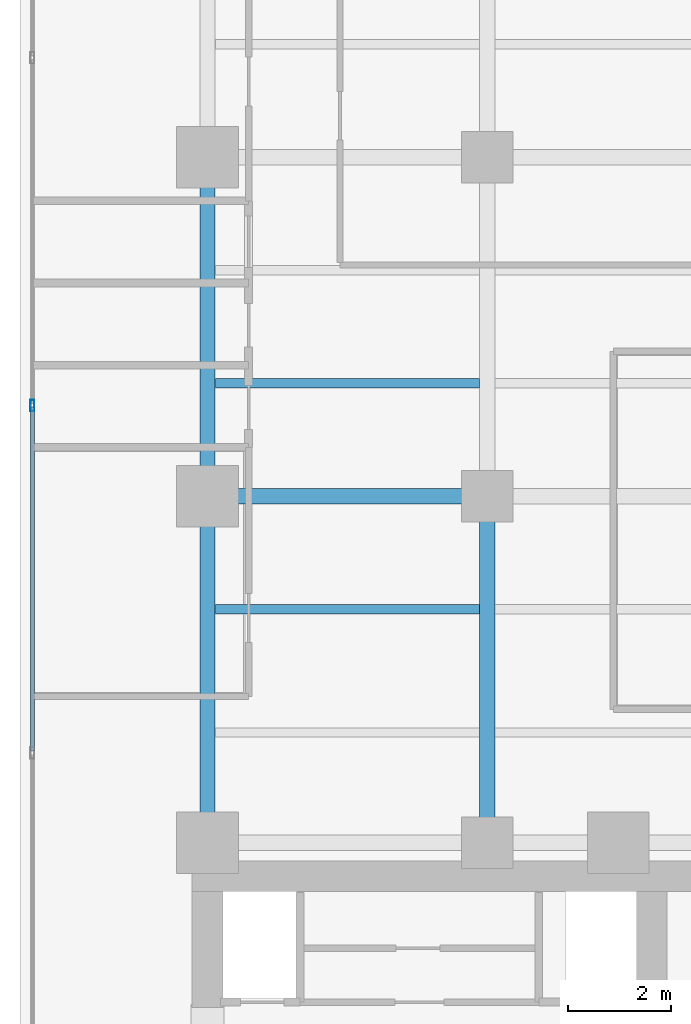
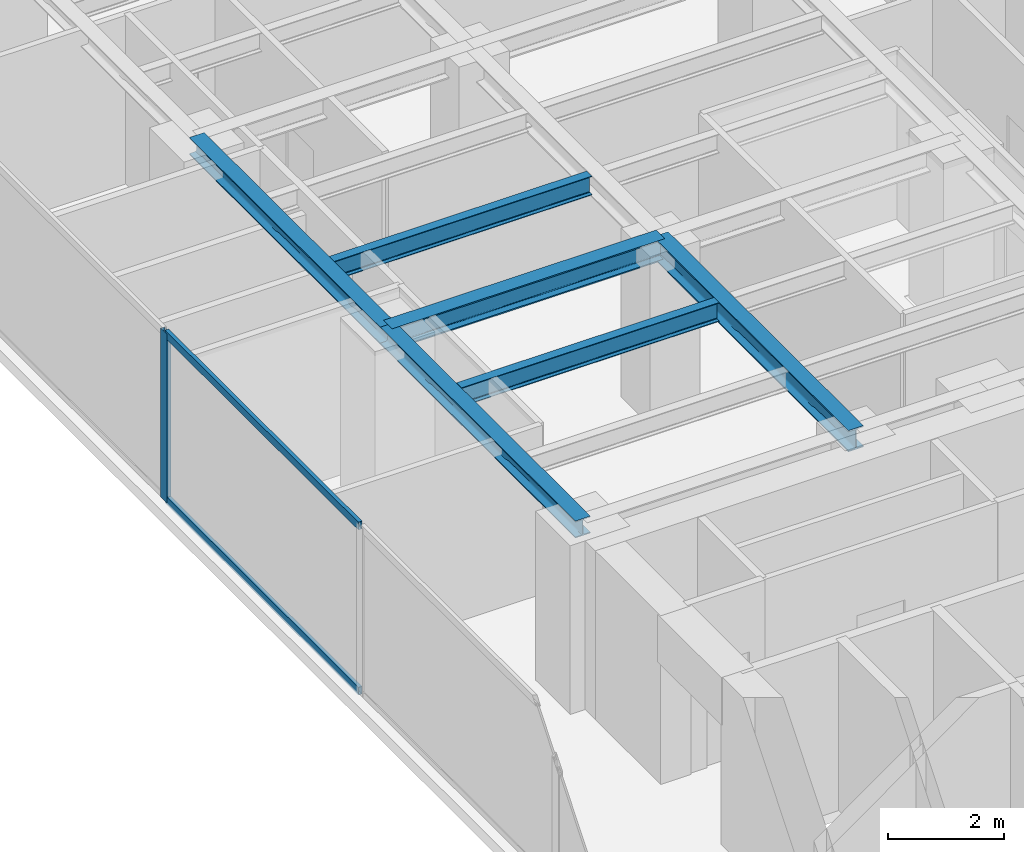
# One storey, part 7 of 26: 6 beams, 3 members, 1 element without a shape of its own.
"""IFC4 building model written with IfcOpenShell, lengths in metres."""

from ifc_helpers import new_model, si_unit, direction, frame, origin, origin_with_axes, origin_2d, place, context, subcontext, project, spatial, hollow_rectangle, i_section, extrude, source, transform, mapped, material, layer, layer_set, material_profile, profile_set, type_object, element, aggregate, save


model = new_model("IFC4")

# Units and contexts
model_context = context("Model", 3, precision=1e-05, world=origin(), true_north=direction((0.0, 1.0)))
body_context = subcontext(model_context, "Body", "Model", "MODEL_VIEW")
ifc_project = project(units=[si_unit("LENGTHUNIT", "METRE"), si_unit("AREAUNIT", "SQUARE_METRE"), si_unit("VOLUMEUNIT", "CUBIC_METRE"), si_unit("PLANEANGLEUNIT", "RADIAN"), si_unit("MASSUNIT", "GRAM", prefix="KILO")], contexts=[model_context])

# Site, building, storey
site_placement = place(None, origin())
site = spatial("IfcSite", under=ifc_project, at=site_placement, CompositionType="ELEMENT")
building_placement = place(site_placement, origin())
building = spatial("IfcBuilding", under=site, at=building_placement, Name="Kolvaren Waterfront Exchange", CompositionType="ELEMENT")
storey_placement = place(building_placement, frame((0.0, 0.0, 180.39990234375)))
storey = spatial("IfcBuildingStorey", under=building, at=storey_placement, Name="L46", CompositionType="ELEMENT", Elevation=180.39990234375)

# Beams
ifc_material_1 = material(Name="Steel S355", Category="steel")
ifc_material_profile_1 = material_profile(ifc_material_1, i_section(OverallWidth=0.300048828125, OverallDepth=0.360107421875, WebThickness=0.012451171875, FlangeThickness=0.0224609375, FilletRadius=0.027099609375, at=origin_2d()), Name="HEB360")
ifc_profile_set_1 = profile_set([ifc_material_profile_1], Name="Steel S355")
beam_type_1 = type_object("IfcBeamType", Name="STR-BM-HEB360", PredefinedType="SPANDREL", material=ifc_profile_set_1)
beam_1_placement = place(storey_placement, frame((7.449951171875, 24.449951171875, 3.380126953125), z_axis=(0.0, 1.0, 0.0), x_axis=(-1.0, 0.0, 0.0)))
element("IfcBeam", 1, at=beam_1_placement, inside=storey, type_object=beam_type_1, Name="L46 north-arm edge beam 1", PredefinedType="SPANDREL", context=body_context, shape_type="SweptSolid", body=[
    extrude(i_section(OverallWidth=0.300048828125, OverallDepth=0.360107421875, WebThickness=0.012451171875, FlangeThickness=0.0224609375, FilletRadius=0.027099609375, at=origin_2d()), origin(), (0.0, 0.0, 1.0), 6.75),
])
beam_2_placement = place(storey_placement, frame((7.449951171875, 31.199951171875, 3.380126953125), z_axis=(0.0, 1.0, 0.0), x_axis=(-1.0, 0.0, 0.0)))
element("IfcBeam", 2, at=beam_2_placement, inside=storey, type_object=beam_type_1, Name="L46 north-arm edge beam 2", PredefinedType="SPANDREL", context=body_context, shape_type="SweptSolid", body=[
    extrude(i_section(OverallWidth=0.300048828125, OverallDepth=0.360107421875, WebThickness=0.012451171875, FlangeThickness=0.0224609375, FilletRadius=0.027099609375, at=origin_2d()), origin(), (0.0, 0.0, 1.0), 6.60009765625),
])
ifc_material_profile_2 = material_profile(ifc_material_1, i_section(OverallWidth=0.300048828125, OverallDepth=0.449951171875, WebThickness=0.013916015625, FlangeThickness=0.02587890625, FilletRadius=0.027099609375, at=origin_2d()), Name="HEB450")
ifc_profile_set_2 = profile_set([ifc_material_profile_2], Name="Steel S355")
beam_type_2 = type_object("IfcBeamType", Name="STR-BM-HEB450", PredefinedType="BEAM", material=ifc_profile_set_2)
beam_3_placement = place(storey_placement, frame((7.449951171875, 31.199951171875, 3.335205078125), z_axis=(1.0, 0.0, 0.0), x_axis=(0.0, 1.0, 0.0)))
element("IfcBeam", 3, at=beam_3_placement, inside=storey, type_object=beam_type_2, Name="L46 north-arm girder 2A", PredefinedType="BEAM", context=body_context, shape_type="SweptSolid", body=[
    extrude(i_section(OverallWidth=0.300048828125, OverallDepth=0.449951171875, WebThickness=0.013916015625, FlangeThickness=0.02587890625, FilletRadius=0.027099609375, at=origin_2d()), origin(), (0.0, 0.0, 1.0), 5.449951171875),
])
beam_4_placement = place(storey_placement, frame((12.89990234375, 24.449951171875, 3.335205078125), z_axis=(0.0, 1.0, 0.0), x_axis=(-1.0, 0.0, 0.0)))
element("IfcBeam", 4, at=beam_4_placement, inside=storey, type_object=beam_type_2, Name="L46 north-arm edge beam 1", PredefinedType="BEAM", context=body_context, shape_type="SweptSolid", body=[
    extrude(i_section(OverallWidth=0.300048828125, OverallDepth=0.449951171875, WebThickness=0.013916015625, FlangeThickness=0.02587890625, FilletRadius=0.027099609375, at=origin_2d()), origin(), (0.0, 0.0, 1.0), 6.75),
])
ifc_material_profile_3 = material_profile(ifc_material_1, i_section(OverallWidth=0.179931640625, OverallDepth=0.39990234375, WebThickness=0.008544921875, FlangeThickness=0.013427734375, FilletRadius=0.02099609375, at=origin_2d()), Name="IPE400")
ifc_profile_set_3 = profile_set([ifc_material_profile_3], Name="Steel S355")
beam_type_3 = type_object("IfcBeamType", Name="STR-BM-IPE400", PredefinedType="JOIST", material=ifc_profile_set_3)
for number, where, z_axis, x_axis, name in (
    (5, (7.60205078125, 29.0, 3.360107421875), (1.0, 0.0, 0.0), (0.0, 1.0, 0.0), "L46 north-arm composite joist 2A"),
    (6, (7.60205078125, 33.39990234375, 3.360107421875), (1.0, 0.0, 0.0), (0.0, 1.0, 0.0), "L46 north-arm composite joist 3A"),
):
    element("IfcBeam", number, at=place(storey_placement, frame(where, z_axis=z_axis, x_axis=x_axis)), inside=storey, type_object=beam_type_3, Name=name, PredefinedType="JOIST", context=body_context, shape_type="SweptSolid", body=[
        extrude(i_section(OverallWidth=0.179931640625, OverallDepth=0.39990234375, WebThickness=0.008544921875, FlangeThickness=0.013427734375, FilletRadius=0.02099609375, at=origin_2d()), origin(), (0.0, 0.0, 1.0), 5.14599609375),
    ])

# Curtain wall, members
ifc_material_2 = material(Name="Anodised aluminium 6063-T6", Category="aluminium")
ifc_layer = layer(ifc_material_2, 0.219970703125, Name="Anodised aluminium 6063-T6")
ifc_layer_set = layer_set([ifc_layer], Name="Anodised aluminium 6063-T6")
curtain_wall_type = type_object("IfcCurtainWallType", Name="ARC-CW-SYS2", PredefinedType="USERDEFINED", material=ifc_layer_set)
curtain_wall_placement = place(storey_placement, origin())
curtain_wall = element("IfcCurtainWall", 7, at=curtain_wall_placement, inside=storey, type_object=curtain_wall_type, Name="L46 stick curtain wall CW2 (CW-L46-W)", ObjectType="STICK CURTAIN WALL", PredefinedType="USERDEFINED")
ifc_material_profile_4 = material_profile(ifc_material_2, hollow_rectangle(XDim=0.080078125, YDim=0.219970703125, WallThickness=0.0048828125, at=origin_2d()), Name="ALU-MUL-220x80x5")
ifc_profile_set_4 = profile_set([ifc_material_profile_4], Name="Anodised aluminium 6063-T6")
member_type_1 = type_object("IfcMemberType", Name="ARC-CWM-220", PredefinedType="MULLION", material=ifc_profile_set_4)
shared_shape_1 = source(origin_with_axes(), body_context, "Body", "SweptSolid", [
    extrude(hollow_rectangle(XDim=0.080078125, YDim=0.219970703125, WallThickness=0.0048828125, at=origin_2d()), origin(), (0.0, 0.0, 1.0), 3.56005859375),
])
member_1_placement = place(storey_placement, frame((4.0400390625, 32.966552734375, 0.0), z_axis=(0.0, 0.0, 1.0), x_axis=(-1.0, 0.0, 0.0)))
member_1 = element("IfcMember", 8, at=member_1_placement, type_object=member_type_1, Name="CW2 mullion 5", PredefinedType="MULLION", context=body_context, shape_type="MappedRepresentation", body=[
    mapped(shared_shape_1, transform((0.0, 0.0, 0.0), x_axis=(1.0, 0.0, 0.0), y_axis=(0.0, 1.0, 0.0), z_axis=(0.0, 0.0, 1.0), scale=1.0)),
])
ifc_material_profile_5 = material_profile(ifc_material_2, hollow_rectangle(XDim=0.074951171875, YDim=0.159912109375, WallThickness=0.00439453125, at=origin_2d()), Name="ALU-TRN-160x75x4.5")
ifc_profile_set_5 = profile_set([ifc_material_profile_5], Name="Anodised aluminium 6063-T6")
member_type_2 = type_object("IfcMemberType", Name="ARC-CWT-160", PredefinedType="USERDEFINED", material=ifc_profile_set_5)
shared_shape_2 = source(origin_with_axes(), body_context, "Body", "SweptSolid", [
    extrude(hollow_rectangle(XDim=0.074951171875, YDim=0.159912109375, WallThickness=0.00439453125, at=origin_2d()), origin(), (0.0, 0.0, 1.0), 6.686767578125),
])
member_2_placement = place(storey_placement, frame((4.0400390625, 26.239990234375, 0.03759765625), z_axis=(0.0, 1.0, 0.0), x_axis=(-1.0, 0.0, 0.0)))
member_2 = element("IfcMember", 9, at=member_2_placement, type_object=member_type_2, Name="CW2 transom 4.1", ObjectType="TRANSOM", PredefinedType="USERDEFINED", context=body_context, shape_type="MappedRepresentation", body=[
    mapped(shared_shape_2, transform((0.0, 0.0, 0.0), x_axis=(1.0, 0.0, 0.0), y_axis=(0.0, 1.0, 0.0), z_axis=(0.0, 0.0, 1.0), scale=1.0)),
])
member_3_placement = place(storey_placement, frame((4.0400390625, 26.239990234375, 3.522705078125), z_axis=(0.0, 1.0, 0.0), x_axis=(-1.0, 0.0, 0.0)))
member_3 = element("IfcMember", 10, at=member_3_placement, type_object=member_type_2, Name="CW2 transom 4.2", ObjectType="TRANSOM", PredefinedType="USERDEFINED", context=body_context, shape_type="MappedRepresentation", body=[
    mapped(shared_shape_2, transform((0.0, 0.0, 0.0), x_axis=(1.0, 0.0, 0.0), y_axis=(0.0, 1.0, 0.0), z_axis=(0.0, 0.0, 1.0), scale=1.0)),
])
aggregate(curtain_wall, [member_1, member_2, member_3])

save(model, "model.ifc")
